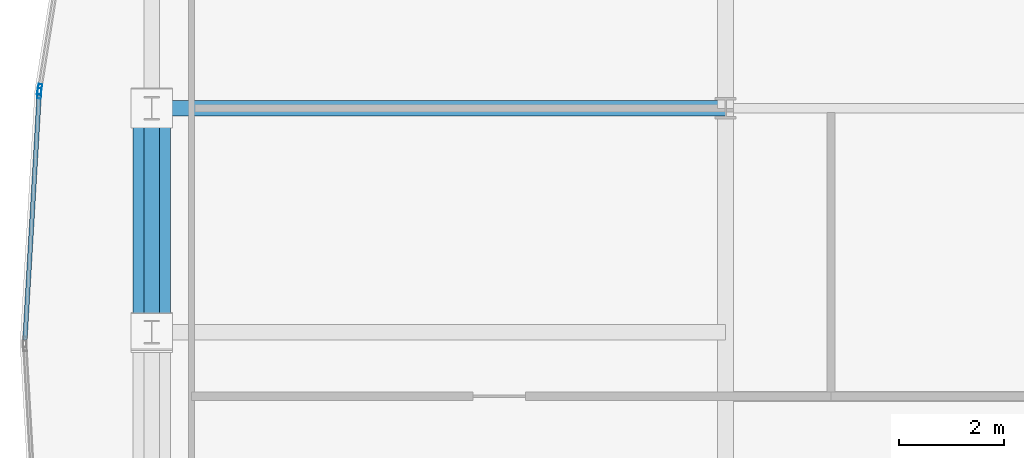
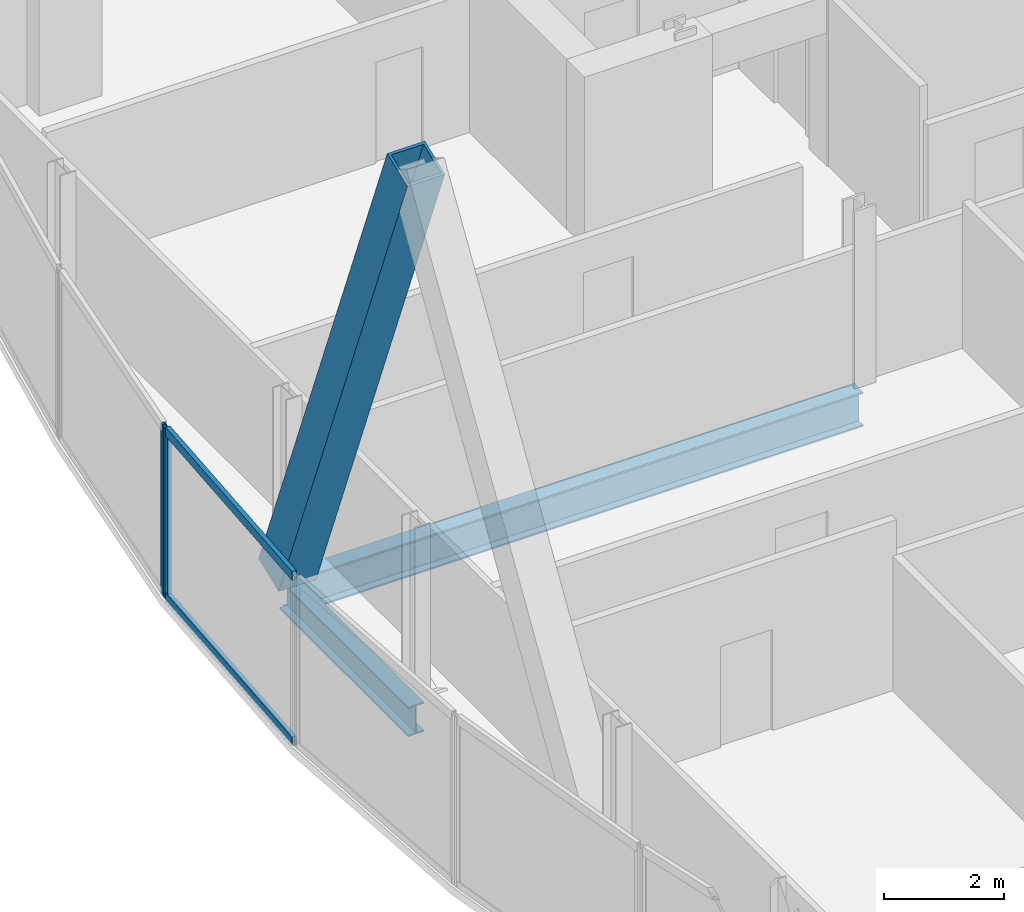
# One storey, part 11 of 33: 5 members, 2 beams, 2 elements without a shape of their own.
"""IFC4 building model written with IfcOpenShell, lengths in metres."""

from ifc_helpers import new_model, si_unit, direction, frame, origin, origin_2d, place, context, subcontext, project, spatial, hollow_rectangle, i_section, extrude, material, material_profile, profile_set, type_object, element, aggregate, save


model = new_model("IFC4")

# Units and contexts
model_context = context("Model", 3, precision=1e-05, world=origin(), true_north=direction((0.0, 1.0)))
body_context = subcontext(model_context, "Body", "Model", "MODEL_VIEW")
ifc_project = project(units=[si_unit("LENGTHUNIT", "METRE"), si_unit("AREAUNIT", "SQUARE_METRE"), si_unit("VOLUMEUNIT", "CUBIC_METRE"), si_unit("PLANEANGLEUNIT", "RADIAN"), si_unit("MASSUNIT", "GRAM", prefix="KILO")], contexts=[model_context])

# Site, building, storey
site_placement = place(None, origin())
site = spatial("IfcSite", under=ifc_project, at=site_placement, CompositionType="ELEMENT")
building_placement = place(site_placement, origin())
building = spatial("IfcBuilding", under=site, at=building_placement, Name="Khoronbel Lancet Exchange", CompositionType="ELEMENT")
storey_placement = place(building_placement, frame((0.0, 0.0, 210.199951171875)))
storey = spatial("IfcBuildingStorey", under=building, at=storey_placement, Name="L53", CompositionType="ELEMENT", Elevation=210.199951171875)

# Beams
ifc_material_1 = material(Name="Steel S355", Category="steel")
ifc_material_profile_1 = material_profile(ifc_material_1, i_section(OverallWidth=0.300048828125, OverallDepth=0.699951171875, WebThickness=0.01708984375, FlangeThickness=0.031982421875, at=origin_2d()), Name="HEB 700")
ifc_profile_set_1 = profile_set([ifc_material_profile_1], Name="Steel S355")
beam_type_1 = type_object("IfcBeamType", Name="BM-BG3", PredefinedType="BEAM", material=ifc_profile_set_1)
beam_1_placement = place(storey_placement, frame((7.27001953125, 35.699951171875, -0.510009765625), z_axis=(1.0, 0.0, 0.0), x_axis=(0.0, 1.0, 0.0)))
element("IfcBeam", 1, at=beam_1_placement, inside=storey, type_object=beam_type_1, Name="Level L53 west lens tie girder LG4W", PredefinedType="BEAM", context=body_context, shape_type="SweptSolid", body=[
    extrude(i_section(OverallWidth=0.300048828125, OverallDepth=0.699951171875, WebThickness=0.01708984375, FlangeThickness=0.031982421875, at=origin_2d()), origin(), (0.0, 0.0, 1.0), 10.955078125),
])
ifc_material_profile_2 = material_profile(ifc_material_1, i_section(OverallWidth=0.300048828125, OverallDepth=0.60009765625, WebThickness=0.015380859375, FlangeThickness=0.030029296875, at=origin_2d()), Name="HEB 600")
ifc_profile_set_2 = profile_set([ifc_material_profile_2], Name="Steel S355")
beam_type_2 = type_object("IfcBeamType", Name="BM-BSP2", PredefinedType="SPANDREL", material=ifc_profile_set_2)
beam_2_placement = place(storey_placement, frame((7.27001953125, 35.699951171875, -0.4599609375), z_axis=(0.0, -1.0, 0.0), x_axis=(1.0, 0.0, 0.0)))
element("IfcBeam", 2, at=beam_2_placement, inside=storey, type_object=beam_type_2, Name="Level L53 perimeter spandrel beam SP18", PredefinedType="SPANDREL", context=body_context, shape_type="SweptSolid", body=[
    extrude(i_section(OverallWidth=0.300048828125, OverallDepth=0.60009765625, WebThickness=0.015380859375, FlangeThickness=0.030029296875, at=origin_2d()), origin(), (0.0, 0.0, 1.0), 4.27490234375),
])

# Curtain wall, member
ifc_material_2 = material(Name="Low-E Solar Control Insulating Glass", Category="glass")
curtain_wall_type = type_object("IfcCurtainWallType", Name="CW-4", PredefinedType="NOTDEFINED", material=ifc_material_2)
curtain_wall_1_placement = place(storey_placement, origin())
curtain_wall_1 = element("IfcCurtainWall", 3, at=curtain_wall_1_placement, inside=storey, type_object=curtain_wall_type, Name="Unitised curtain wall CW-L53-E07", PredefinedType="NOTDEFINED")
ifc_material_3 = material(Name="Bronze-Anodised Aluminium 6063-T6", Category="aluminium")
ifc_material_profile_3 = material_profile(ifc_material_3, hollow_rectangle(XDim=0.074951171875, YDim=0.199951171875, WallThickness=0.0048828125, at=origin_2d()), Name="ALU MULLION 75x200")
ifc_profile_set_3 = profile_set([ifc_material_profile_3], Name="Bronze-Anodised Aluminium 6063-T6")
member_type_1 = type_object("IfcMemberType", Name="MEM-CWM2", PredefinedType="MULLION", material=ifc_profile_set_3)
member_1_placement = place(storey_placement, frame((5.1220703125, 35.986083984375, 0.0), z_axis=(0.0, 0.0, 1.0), x_axis=(-0.998317069101, 0.05799163338, 0.0)))
member_1 = element("IfcMember", 4, at=member_1_placement, type_object=member_type_1, Name="CW4 mullion 2", PredefinedType="MULLION", context=body_context, shape_type="SweptSolid", body=[
    extrude(hollow_rectangle(XDim=0.074951171875, YDim=0.199951171875, WallThickness=0.0048828125, at=origin_2d()), origin(), (0.0, 0.0, 1.0), 3.43994140625),
])

curtain_wall_2_placement = place(storey_placement, origin())
curtain_wall_2 = element("IfcCurtainWall", 5, at=curtain_wall_2_placement, inside=storey, type_object=curtain_wall_type, Name="Unitised curtain wall CW-L53-E08", PredefinedType="NOTDEFINED")
member_2_placement = place(storey_placement, frame((5.130126953125, 36.060546875, 0.0), z_axis=(0.0, 0.0, 1.0), x_axis=(-0.987632712105, 0.156785286236, 0.0)))
member_2 = element("IfcMember", 6, at=member_2_placement, type_object=member_type_1, Name="CW4 mullion 1", PredefinedType="MULLION", context=body_context, shape_type="SweptSolid", body=[
    extrude(hollow_rectangle(XDim=0.074951171875, YDim=0.199951171875, WallThickness=0.0048828125, at=origin_2d()), origin(), (0.0, 0.0, 1.0), 3.43994140625),
])
aggregate(curtain_wall_2, [member_2])

# Member
ifc_material_profile_4 = material_profile(ifc_material_3, hollow_rectangle(XDim=0.0849609375, YDim=0.179931640625, WallThickness=0.0048828125, at=origin_2d()), Name="ALU TRANSOM 85x180")
ifc_profile_set_4 = profile_set([ifc_material_profile_4], Name="Bronze-Anodised Aluminium 6063-T6")
member_type_2 = type_object("IfcMemberType", Name="MEM-CWT1", PredefinedType="USERDEFINED", material=ifc_profile_set_4)
member_3_placement = place(storey_placement, frame((4.848388671875, 31.27490234375, 0.04248046875), z_axis=(0.057988340657, 0.998317260368, 0.0), x_axis=(-0.998317260368, 0.057988340657, 0.0)))
member_3 = element("IfcMember", 7, at=member_3_placement, type_object=member_type_2, Name="CW4 transom 1.1", ObjectType="TRANSOM", PredefinedType="USERDEFINED", context=body_context, shape_type="SweptSolid", body=[
    extrude(hollow_rectangle(XDim=0.0849609375, YDim=0.179931640625, WallThickness=0.0048828125, at=origin_2d()), origin(), (0.0, 0.0, 1.0), 4.681640625),
])

member_4_placement = place(storey_placement, frame((4.848388671875, 31.27490234375, 3.3974609375), z_axis=(0.057988340657, 0.998317260368, 0.0), x_axis=(-0.998317260368, 0.057988340657, 0.0)))
member_4 = element("IfcMember", 8, at=member_4_placement, type_object=member_type_2, Name="CW4 transom 1.2", ObjectType="TRANSOM", PredefinedType="USERDEFINED", context=body_context, shape_type="SweptSolid", body=[
    extrude(hollow_rectangle(XDim=0.0849609375, YDim=0.179931640625, WallThickness=0.0048828125, at=origin_2d()), origin(), (0.0, 0.0, 1.0), 4.681640625),
])

aggregate(curtain_wall_1, [member_1, member_3, member_4])

ifc_material_4 = material(Name="Steel S460", Category="steel")
ifc_material_profile_5 = material_profile(ifc_material_4, hollow_rectangle(XDim=0.719970703125, YDim=0.719970703125, WallThickness=0.050048828125, at=origin_2d()), Name="BOX 720x720x50")
ifc_profile_set_5 = profile_set([ifc_material_profile_5], Name="Steel S460")
member_type_3 = type_object("IfcMemberType", Name="MEM-MB2", PredefinedType="BRACE", material=ifc_profile_set_5)
member_5_placement = place(storey_placement, frame((7.27001953125, 35.699951171875, 0.0), z_axis=(0.0, -0.368039743753, 0.929810059646), x_axis=(1.0, 0.0, 0.0)))
element("IfcMember", 9, at=member_5_placement, inside=storey, type_object=member_type_3, Name="Perimeter lancet brace tier 18 W-P-R", PredefinedType="BRACE", context=body_context, shape_type="SweptSolid", body=[
    extrude(hollow_rectangle(XDim=0.719970703125, YDim=0.719970703125, WallThickness=0.050048828125, at=origin_2d()), origin(), (0.0, 0.0, 1.0), 11.615234375),
])

save(model, "model.ifc")
